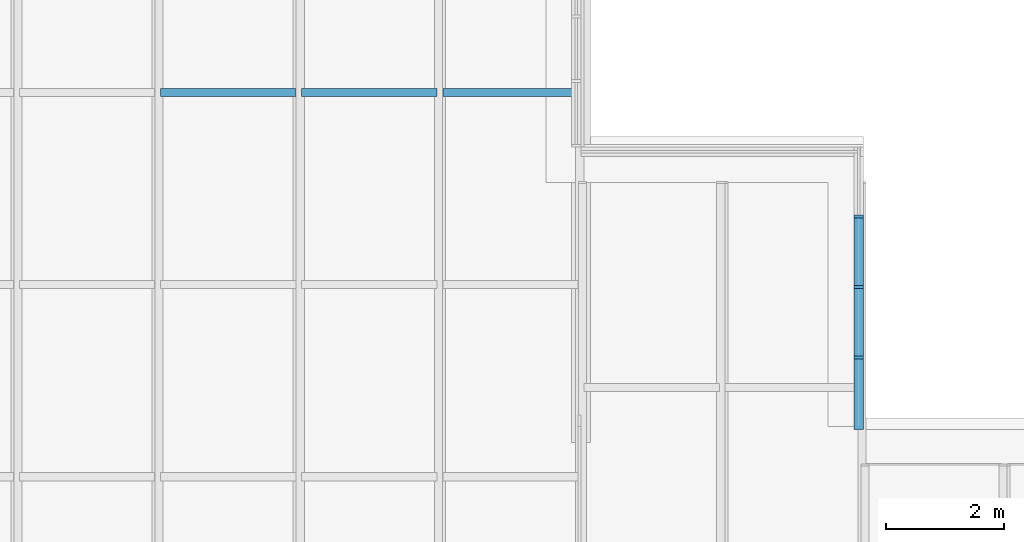
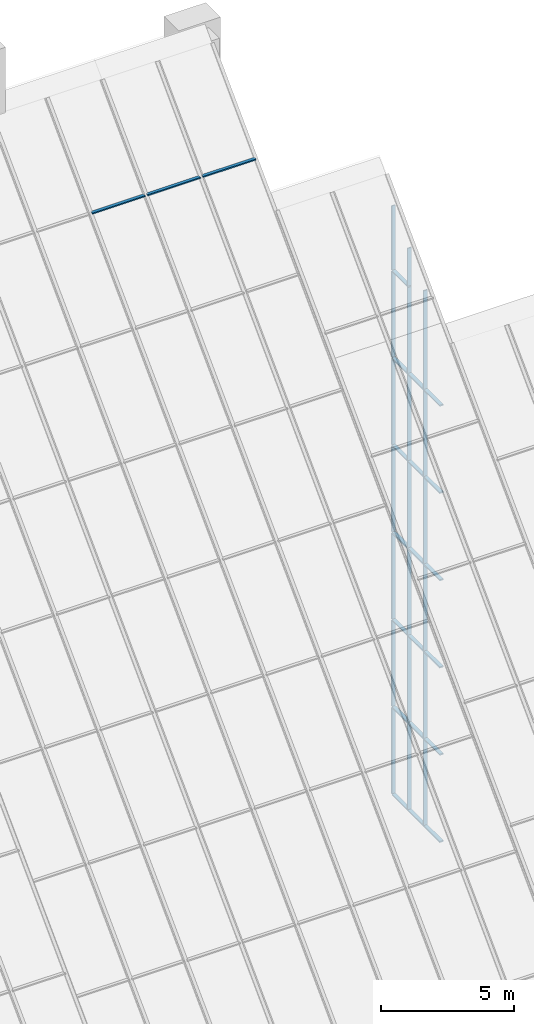
# One storey, part 12 of 25: 42 members, 29 elements without a shape of their own.
"""IFC4 building model written with IfcOpenShell, lengths in metres."""

from ifc_helpers import new_model, si_unit, direction, frame, origin, origin_2d, place, context, subcontext, project, spatial, rectangle, extrude, material, material_profile, profile_set, type_object, element, aggregate, save


model = new_model("IFC4")

# Units and contexts
model_context = context("Model", 3, precision=1e-05, world=origin(), true_north=direction((0.0, 1.0)))
body_context = subcontext(model_context, "Body", "Model", "MODEL_VIEW")
ifc_project = project(units=[si_unit("LENGTHUNIT", "METRE"), si_unit("AREAUNIT", "SQUARE_METRE"), si_unit("VOLUMEUNIT", "CUBIC_METRE"), si_unit("PLANEANGLEUNIT", "RADIAN"), si_unit("MASSUNIT", "GRAM", prefix="KILO")], contexts=[model_context])

# Site, building, storey
site_placement = place(None, origin())
site = spatial("IfcSite", under=ifc_project, at=site_placement, CompositionType="ELEMENT")
building_placement = place(site_placement, origin())
building = spatial("IfcBuilding", under=site, at=building_placement, Name="Baori Bourse Tower", CompositionType="ELEMENT")
storey_placement = place(building_placement, frame((0.0, 0.0, 378.300048828125)))
storey = spatial("IfcBuildingStorey", under=building, at=storey_placement, Name="Roof", CompositionType="ELEMENT", Elevation=378.300048828125)

# Curtain wall, member
ifc_material_1 = material(Name="Pale anodised aluminium", Category="aluminium")
curtain_wall_type_1 = type_object("IfcCurtainWallType", Name="CW3 Curtain wall", PredefinedType="NOTDEFINED", material=ifc_material_1)
curtain_wall_1_placement = place(storey_placement, origin())
curtain_wall_1 = element("IfcCurtainWall", 1, at=curtain_wall_1_placement, inside=storey, type_object=curtain_wall_type_1, Name="Curtain wall CW3 Roof 7", PredefinedType="NOTDEFINED")
ifc_material_2 = material(Name="Pale anodised aluminium", Category="aluminium")
ifc_material_profile_1 = material_profile(ifc_material_2, rectangle(XDim=0.159912109375, YDim=0.050048828125, at=origin_2d()), Name="Mullion 50x160")
ifc_profile_set_1 = profile_set([ifc_material_profile_1], Name="Pale anodised aluminium")
member_type_1 = type_object("IfcMemberType", Name="CW3 Curtain wall mullion", PredefinedType="MULLION", material=ifc_profile_set_1)
member_1_placement = place(storey_placement, frame((43.1201171875, 39.625, -0.18994140625), z_axis=(0.0, 0.0, 1.0), x_axis=(-1.0, 0.0, 0.0)))
member_1 = element("IfcMember", 2, at=member_1_placement, type_object=member_type_1, Name="Curtain wall CW3 mullion", PredefinedType="MULLION", context=body_context, shape_type="SweptSolid", body=[
    extrude(rectangle(XDim=0.159912109375, YDim=0.050048828125, at=origin_2d()), origin(), (0.0, 0.0, 1.0), 3.93994140625),
])

curtain_wall_2_placement = place(storey_placement, origin())
curtain_wall_2 = element("IfcCurtainWall", 3, at=curtain_wall_2_placement, inside=storey, type_object=curtain_wall_type_1, Name="Curtain wall CW3 Roof 8", PredefinedType="NOTDEFINED")
member_2_placement = place(storey_placement, frame((43.1201171875, 39.625, 3.81005859375), z_axis=(0.0, 0.0, 1.0), x_axis=(-1.0, 0.0, 0.0)))
member_2 = element("IfcMember", 4, at=member_2_placement, type_object=member_type_1, Name="Curtain wall CW3 mullion", PredefinedType="MULLION", context=body_context, shape_type="SweptSolid", body=[
    extrude(rectangle(XDim=0.159912109375, YDim=0.050048828125, at=origin_2d()), origin(), (0.0, 0.0, 1.0), 3.93994140625),
])

curtain_wall_3_placement = place(storey_placement, origin())
curtain_wall_3 = element("IfcCurtainWall", 5, at=curtain_wall_3_placement, inside=storey, type_object=curtain_wall_type_1, Name="Curtain wall CW3 Roof 9", PredefinedType="NOTDEFINED")
member_3_placement = place(storey_placement, frame((43.1201171875, 39.625, 7.81005859375), z_axis=(0.0, 0.0, 1.0), x_axis=(-1.0, 0.0, 0.0)))
member_3 = element("IfcMember", 6, at=member_3_placement, type_object=member_type_1, Name="Curtain wall CW3 mullion", PredefinedType="MULLION", context=body_context, shape_type="SweptSolid", body=[
    extrude(rectangle(XDim=0.159912109375, YDim=0.050048828125, at=origin_2d()), origin(), (0.0, 0.0, 1.0), 3.93994140625),
])

curtain_wall_4_placement = place(storey_placement, origin())
curtain_wall_4 = element("IfcCurtainWall", 7, at=curtain_wall_4_placement, inside=storey, type_object=curtain_wall_type_1, Name="Curtain wall CW3 Roof 10", PredefinedType="NOTDEFINED")
member_4_placement = place(storey_placement, frame((43.1201171875, 39.625, 11.81005859375), z_axis=(0.0, 0.0, 1.0), x_axis=(-1.0, 0.0, 0.0)))
member_4 = element("IfcMember", 8, at=member_4_placement, type_object=member_type_1, Name="Curtain wall CW3 mullion", PredefinedType="MULLION", context=body_context, shape_type="SweptSolid", body=[
    extrude(rectangle(XDim=0.159912109375, YDim=0.050048828125, at=origin_2d()), origin(), (0.0, 0.0, 1.0), 3.93994140625),
])

curtain_wall_5_placement = place(storey_placement, origin())
curtain_wall_5 = element("IfcCurtainWall", 9, at=curtain_wall_5_placement, inside=storey, type_object=curtain_wall_type_1, Name="Curtain wall CW3 Roof 11", PredefinedType="NOTDEFINED")
member_5_placement = place(storey_placement, frame((43.1201171875, 39.625, 15.81005859375), z_axis=(0.0, 0.0, 1.0), x_axis=(-1.0, 0.0, 0.0)))
member_5 = element("IfcMember", 10, at=member_5_placement, type_object=member_type_1, Name="Curtain wall CW3 mullion", PredefinedType="MULLION", context=body_context, shape_type="SweptSolid", body=[
    extrude(rectangle(XDim=0.159912109375, YDim=0.050048828125, at=origin_2d()), origin(), (0.0, 0.0, 1.0), 3.93994140625),
])

curtain_wall_6_placement = place(storey_placement, origin())
curtain_wall_6 = element("IfcCurtainWall", 11, at=curtain_wall_6_placement, inside=storey, type_object=curtain_wall_type_1, Name="Curtain wall CW3 Roof 12", PredefinedType="NOTDEFINED")
member_6_placement = place(storey_placement, frame((43.1201171875, 39.625, 19.81005859375), z_axis=(0.0, 0.0, 1.0), x_axis=(-1.0, 0.0, 0.0)))
member_6 = element("IfcMember", 12, at=member_6_placement, type_object=member_type_1, Name="Curtain wall CW3 mullion", PredefinedType="MULLION", context=body_context, shape_type="SweptSolid", body=[
    extrude(rectangle(XDim=0.159912109375, YDim=0.050048828125, at=origin_2d()), origin(), (0.0, 0.0, 1.0), 4.514892578125),
])

curtain_wall_7_placement = place(storey_placement, origin())
curtain_wall_7 = element("IfcCurtainWall", 13, at=curtain_wall_7_placement, inside=storey, type_object=curtain_wall_type_1, Name="Curtain wall CW3 Roof 13", PredefinedType="NOTDEFINED")
member_7_placement = place(storey_placement, frame((43.1201171875, 40.824951171875, -0.18994140625), z_axis=(0.0, 0.0, 1.0), x_axis=(-1.0, 0.0, 0.0)))
member_7 = element("IfcMember", 14, at=member_7_placement, type_object=member_type_1, Name="Curtain wall CW3 mullion", PredefinedType="MULLION", context=body_context, shape_type="SweptSolid", body=[
    extrude(rectangle(XDim=0.159912109375, YDim=0.050048828125, at=origin_2d()), origin(), (0.0, 0.0, 1.0), 3.93994140625),
])

curtain_wall_8_placement = place(storey_placement, origin())
curtain_wall_8 = element("IfcCurtainWall", 15, at=curtain_wall_8_placement, inside=storey, type_object=curtain_wall_type_1, Name="Curtain wall CW3 Roof 14", PredefinedType="NOTDEFINED")
member_8_placement = place(storey_placement, frame((43.1201171875, 40.824951171875, 3.81005859375), z_axis=(0.0, 0.0, 1.0), x_axis=(-1.0, 0.0, 0.0)))
member_8 = element("IfcMember", 16, at=member_8_placement, type_object=member_type_1, Name="Curtain wall CW3 mullion", PredefinedType="MULLION", context=body_context, shape_type="SweptSolid", body=[
    extrude(rectangle(XDim=0.159912109375, YDim=0.050048828125, at=origin_2d()), origin(), (0.0, 0.0, 1.0), 3.93994140625),
])

curtain_wall_9_placement = place(storey_placement, origin())
curtain_wall_9 = element("IfcCurtainWall", 17, at=curtain_wall_9_placement, inside=storey, type_object=curtain_wall_type_1, Name="Curtain wall CW3 Roof 15", PredefinedType="NOTDEFINED")
member_9_placement = place(storey_placement, frame((43.1201171875, 40.824951171875, 7.81005859375), z_axis=(0.0, 0.0, 1.0), x_axis=(-1.0, 0.0, 0.0)))
member_9 = element("IfcMember", 18, at=member_9_placement, type_object=member_type_1, Name="Curtain wall CW3 mullion", PredefinedType="MULLION", context=body_context, shape_type="SweptSolid", body=[
    extrude(rectangle(XDim=0.159912109375, YDim=0.050048828125, at=origin_2d()), origin(), (0.0, 0.0, 1.0), 3.93994140625),
])

curtain_wall_10_placement = place(storey_placement, origin())
curtain_wall_10 = element("IfcCurtainWall", 19, at=curtain_wall_10_placement, inside=storey, type_object=curtain_wall_type_1, Name="Curtain wall CW3 Roof 16", PredefinedType="NOTDEFINED")
member_10_placement = place(storey_placement, frame((43.1201171875, 40.824951171875, 11.81005859375), z_axis=(0.0, 0.0, 1.0), x_axis=(-1.0, 0.0, 0.0)))
member_10 = element("IfcMember", 20, at=member_10_placement, type_object=member_type_1, Name="Curtain wall CW3 mullion", PredefinedType="MULLION", context=body_context, shape_type="SweptSolid", body=[
    extrude(rectangle(XDim=0.159912109375, YDim=0.050048828125, at=origin_2d()), origin(), (0.0, 0.0, 1.0), 3.93994140625),
])

curtain_wall_11_placement = place(storey_placement, origin())
curtain_wall_11 = element("IfcCurtainWall", 21, at=curtain_wall_11_placement, inside=storey, type_object=curtain_wall_type_1, Name="Curtain wall CW3 Roof 17", PredefinedType="NOTDEFINED")
member_11_placement = place(storey_placement, frame((43.1201171875, 40.824951171875, 15.81005859375), z_axis=(0.0, 0.0, 1.0), x_axis=(-1.0, 0.0, 0.0)))
member_11 = element("IfcMember", 22, at=member_11_placement, type_object=member_type_1, Name="Curtain wall CW3 mullion", PredefinedType="MULLION", context=body_context, shape_type="SweptSolid", body=[
    extrude(rectangle(XDim=0.159912109375, YDim=0.050048828125, at=origin_2d()), origin(), (0.0, 0.0, 1.0), 3.93994140625),
])

curtain_wall_12_placement = place(storey_placement, origin())
curtain_wall_12 = element("IfcCurtainWall", 23, at=curtain_wall_12_placement, inside=storey, type_object=curtain_wall_type_1, Name="Curtain wall CW3 Roof 18", PredefinedType="NOTDEFINED")
member_12_placement = place(storey_placement, frame((43.1201171875, 40.824951171875, 19.81005859375), z_axis=(0.0, 0.0, 1.0), x_axis=(-1.0, 0.0, 0.0)))
member_12 = element("IfcMember", 24, at=member_12_placement, type_object=member_type_1, Name="Curtain wall CW3 mullion", PredefinedType="MULLION", context=body_context, shape_type="SweptSolid", body=[
    extrude(rectangle(XDim=0.159912109375, YDim=0.050048828125, at=origin_2d()), origin(), (0.0, 0.0, 1.0), 3.93994140625),
])

curtain_wall_13_placement = place(storey_placement, origin())
curtain_wall_13 = element("IfcCurtainWall", 25, at=curtain_wall_13_placement, inside=storey, type_object=curtain_wall_type_1, Name="Curtain wall CW3 Roof 19", PredefinedType="NOTDEFINED")
member_13_placement = place(storey_placement, frame((43.1201171875, 40.824951171875, 23.81005859375), z_axis=(0.0, 0.0, 1.0), x_axis=(-1.0, 0.0, 0.0)))
member_13 = element("IfcMember", 26, at=member_13_placement, type_object=member_type_1, Name="Curtain wall CW3 mullion", PredefinedType="MULLION", context=body_context, shape_type="SweptSolid", body=[
    extrude(rectangle(XDim=0.159912109375, YDim=0.050048828125, at=origin_2d()), origin(), (0.0, 0.0, 1.0), 1.72998046875),
])

curtain_wall_14_placement = place(storey_placement, origin())
curtain_wall_14 = element("IfcCurtainWall", 27, at=curtain_wall_14_placement, inside=storey, type_object=curtain_wall_type_1, Name="Curtain wall CW3 Roof 20", PredefinedType="NOTDEFINED")
member_14_placement = place(storey_placement, frame((43.1201171875, 42.02490234375, -0.18994140625), z_axis=(0.0, 0.0, 1.0), x_axis=(-1.0, 0.0, 0.0)))
member_14 = element("IfcMember", 28, at=member_14_placement, type_object=member_type_1, Name="Curtain wall CW3 mullion", PredefinedType="MULLION", context=body_context, shape_type="SweptSolid", body=[
    extrude(rectangle(XDim=0.159912109375, YDim=0.050048828125, at=origin_2d()), origin(), (0.0, 0.0, 1.0), 3.93994140625),
])
aggregate(curtain_wall_14, [member_14])

curtain_wall_15_placement = place(storey_placement, origin())
curtain_wall_15 = element("IfcCurtainWall", 29, at=curtain_wall_15_placement, inside=storey, type_object=curtain_wall_type_1, Name="Curtain wall CW3 Roof 21", PredefinedType="NOTDEFINED")
member_15_placement = place(storey_placement, frame((43.1201171875, 42.02490234375, 3.81005859375), z_axis=(0.0, 0.0, 1.0), x_axis=(-1.0, 0.0, 0.0)))
member_15 = element("IfcMember", 30, at=member_15_placement, type_object=member_type_1, Name="Curtain wall CW3 mullion", PredefinedType="MULLION", context=body_context, shape_type="SweptSolid", body=[
    extrude(rectangle(XDim=0.159912109375, YDim=0.050048828125, at=origin_2d()), origin(), (0.0, 0.0, 1.0), 3.93994140625),
])
aggregate(curtain_wall_15, [member_15])

curtain_wall_16_placement = place(storey_placement, origin())
curtain_wall_16 = element("IfcCurtainWall", 31, at=curtain_wall_16_placement, inside=storey, type_object=curtain_wall_type_1, Name="Curtain wall CW3 Roof 22", PredefinedType="NOTDEFINED")
member_16_placement = place(storey_placement, frame((43.1201171875, 42.02490234375, 7.81005859375), z_axis=(0.0, 0.0, 1.0), x_axis=(-1.0, 0.0, 0.0)))
member_16 = element("IfcMember", 32, at=member_16_placement, type_object=member_type_1, Name="Curtain wall CW3 mullion", PredefinedType="MULLION", context=body_context, shape_type="SweptSolid", body=[
    extrude(rectangle(XDim=0.159912109375, YDim=0.050048828125, at=origin_2d()), origin(), (0.0, 0.0, 1.0), 3.93994140625),
])
aggregate(curtain_wall_16, [member_16])

curtain_wall_17_placement = place(storey_placement, origin())
curtain_wall_17 = element("IfcCurtainWall", 33, at=curtain_wall_17_placement, inside=storey, type_object=curtain_wall_type_1, Name="Curtain wall CW3 Roof 23", PredefinedType="NOTDEFINED")
member_17_placement = place(storey_placement, frame((43.1201171875, 42.02490234375, 11.81005859375), z_axis=(0.0, 0.0, 1.0), x_axis=(-1.0, 0.0, 0.0)))
member_17 = element("IfcMember", 34, at=member_17_placement, type_object=member_type_1, Name="Curtain wall CW3 mullion", PredefinedType="MULLION", context=body_context, shape_type="SweptSolid", body=[
    extrude(rectangle(XDim=0.159912109375, YDim=0.050048828125, at=origin_2d()), origin(), (0.0, 0.0, 1.0), 3.93994140625),
])
aggregate(curtain_wall_17, [member_17])

curtain_wall_18_placement = place(storey_placement, origin())
curtain_wall_18 = element("IfcCurtainWall", 35, at=curtain_wall_18_placement, inside=storey, type_object=curtain_wall_type_1, Name="Curtain wall CW3 Roof 24", PredefinedType="NOTDEFINED")
member_18_placement = place(storey_placement, frame((43.1201171875, 42.02490234375, 15.81005859375), z_axis=(0.0, 0.0, 1.0), x_axis=(-1.0, 0.0, 0.0)))
member_18 = element("IfcMember", 36, at=member_18_placement, type_object=member_type_1, Name="Curtain wall CW3 mullion", PredefinedType="MULLION", context=body_context, shape_type="SweptSolid", body=[
    extrude(rectangle(XDim=0.159912109375, YDim=0.050048828125, at=origin_2d()), origin(), (0.0, 0.0, 1.0), 3.93994140625),
])
aggregate(curtain_wall_18, [member_18])

curtain_wall_19_placement = place(storey_placement, origin())
curtain_wall_19 = element("IfcCurtainWall", 37, at=curtain_wall_19_placement, inside=storey, type_object=curtain_wall_type_1, Name="Curtain wall CW3 Roof 25", PredefinedType="NOTDEFINED")
member_19_placement = place(storey_placement, frame((43.1201171875, 42.02490234375, 19.81005859375), z_axis=(0.0, 0.0, 1.0), x_axis=(-1.0, 0.0, 0.0)))
member_19 = element("IfcMember", 38, at=member_19_placement, type_object=member_type_1, Name="Curtain wall CW3 mullion", PredefinedType="MULLION", context=body_context, shape_type="SweptSolid", body=[
    extrude(rectangle(XDim=0.159912109375, YDim=0.050048828125, at=origin_2d()), origin(), (0.0, 0.0, 1.0), 3.93994140625),
])
aggregate(curtain_wall_19, [member_19])

curtain_wall_20_placement = place(storey_placement, origin())
curtain_wall_20 = element("IfcCurtainWall", 39, at=curtain_wall_20_placement, inside=storey, type_object=curtain_wall_type_1, Name="Curtain wall CW3 Roof 26", PredefinedType="NOTDEFINED")
member_20_placement = place(storey_placement, frame((43.1201171875, 42.02490234375, 23.81005859375), z_axis=(0.0, 0.0, 1.0), x_axis=(-1.0, 0.0, 0.0)))
member_20 = element("IfcMember", 40, at=member_20_placement, type_object=member_type_1, Name="Curtain wall CW3 mullion", PredefinedType="MULLION", context=body_context, shape_type="SweptSolid", body=[
    extrude(rectangle(XDim=0.159912109375, YDim=0.050048828125, at=origin_2d()), origin(), (0.0, 0.0, 1.0), 2.94482421875),
])
aggregate(curtain_wall_20, [member_20])

curtain_wall_21_placement = place(storey_placement, origin())
curtain_wall_21 = element("IfcCurtainWall", 41, at=curtain_wall_21_placement, inside=storey, type_object=curtain_wall_type_1, Name="Curtain wall CW3 Roof 1", PredefinedType="NOTDEFINED")
ifc_material_3 = material(Name="Pale anodised aluminium", Category="aluminium")
ifc_material_profile_2 = material_profile(ifc_material_3, rectangle(XDim=0.159912109375, YDim=0.06005859375, at=origin_2d()), Name="Transom 60x160")
ifc_profile_set_2 = profile_set([ifc_material_profile_2], Name="Pale anodised aluminium")
member_type_2 = type_object("IfcMemberType", Name="CW3 Curtain wall transom", PredefinedType="USERDEFINED", material=ifc_profile_set_2)
member_21_placement = place(storey_placement, frame((43.1201171875, 38.39990234375, -0.219970703125), z_axis=(0.0, 1.0, 0.0), x_axis=(-1.0, 0.0, 0.0)))
member_21 = element("IfcMember", 42, at=member_21_placement, type_object=member_type_2, Name="Curtain wall CW3 sill rail", ObjectType="TRANSOM", PredefinedType="USERDEFINED", context=body_context, shape_type="SweptSolid", body=[
    extrude(rectangle(XDim=0.159912109375, YDim=0.06005859375, at=origin_2d()), origin(), (0.0, 0.0, 1.0), 1.2001953125),
])
aggregate(curtain_wall_21, [member_21])

curtain_wall_22_placement = place(storey_placement, origin())
curtain_wall_22 = element("IfcCurtainWall", 43, at=curtain_wall_22_placement, inside=storey, type_object=curtain_wall_type_1, Name="Curtain wall CW3 Roof 2", PredefinedType="NOTDEFINED")
member_22_placement = place(storey_placement, frame((43.1201171875, 38.39990234375, 3.780029296875), z_axis=(0.0, 1.0, 0.0), x_axis=(-1.0, 0.0, 0.0)))
member_22 = element("IfcMember", 44, at=member_22_placement, type_object=member_type_2, Name="Curtain wall CW3 sill rail", ObjectType="TRANSOM", PredefinedType="USERDEFINED", context=body_context, shape_type="SweptSolid", body=[
    extrude(rectangle(XDim=0.159912109375, YDim=0.06005859375, at=origin_2d()), origin(), (0.0, 0.0, 1.0), 1.2001953125),
])
aggregate(curtain_wall_22, [member_22])

curtain_wall_23_placement = place(storey_placement, origin())
curtain_wall_23 = element("IfcCurtainWall", 45, at=curtain_wall_23_placement, inside=storey, type_object=curtain_wall_type_1, Name="Curtain wall CW3 Roof 3", PredefinedType="NOTDEFINED")
member_23_placement = place(storey_placement, frame((43.1201171875, 38.39990234375, 7.780029296875), z_axis=(0.0, 1.0, 0.0), x_axis=(-1.0, 0.0, 0.0)))
member_23 = element("IfcMember", 46, at=member_23_placement, type_object=member_type_2, Name="Curtain wall CW3 sill rail", ObjectType="TRANSOM", PredefinedType="USERDEFINED", context=body_context, shape_type="SweptSolid", body=[
    extrude(rectangle(XDim=0.159912109375, YDim=0.06005859375, at=origin_2d()), origin(), (0.0, 0.0, 1.0), 1.2001953125),
])
aggregate(curtain_wall_23, [member_23])

curtain_wall_24_placement = place(storey_placement, origin())
curtain_wall_24 = element("IfcCurtainWall", 47, at=curtain_wall_24_placement, inside=storey, type_object=curtain_wall_type_1, Name="Curtain wall CW3 Roof 4", PredefinedType="NOTDEFINED")
member_24_placement = place(storey_placement, frame((43.1201171875, 38.39990234375, 11.780029296875), z_axis=(0.0, 1.0, 0.0), x_axis=(-1.0, 0.0, 0.0)))
member_24 = element("IfcMember", 48, at=member_24_placement, type_object=member_type_2, Name="Curtain wall CW3 sill rail", ObjectType="TRANSOM", PredefinedType="USERDEFINED", context=body_context, shape_type="SweptSolid", body=[
    extrude(rectangle(XDim=0.159912109375, YDim=0.06005859375, at=origin_2d()), origin(), (0.0, 0.0, 1.0), 1.2001953125),
])
aggregate(curtain_wall_24, [member_24])

curtain_wall_25_placement = place(storey_placement, origin())
curtain_wall_25 = element("IfcCurtainWall", 49, at=curtain_wall_25_placement, inside=storey, type_object=curtain_wall_type_1, Name="Curtain wall CW3 Roof 5", PredefinedType="NOTDEFINED")
member_25_placement = place(storey_placement, frame((43.1201171875, 38.39990234375, 15.780029296875), z_axis=(0.0, 1.0, 0.0), x_axis=(-1.0, 0.0, 0.0)))
member_25 = element("IfcMember", 50, at=member_25_placement, type_object=member_type_2, Name="Curtain wall CW3 sill rail", ObjectType="TRANSOM", PredefinedType="USERDEFINED", context=body_context, shape_type="SweptSolid", body=[
    extrude(rectangle(XDim=0.159912109375, YDim=0.06005859375, at=origin_2d()), origin(), (0.0, 0.0, 1.0), 1.2001953125),
])
aggregate(curtain_wall_25, [member_25])

curtain_wall_26_placement = place(storey_placement, origin())
curtain_wall_26 = element("IfcCurtainWall", 51, at=curtain_wall_26_placement, inside=storey, type_object=curtain_wall_type_1, Name="Curtain wall CW3 Roof 6", PredefinedType="NOTDEFINED")
member_26_placement = place(storey_placement, frame((43.1201171875, 38.39990234375, 19.780029296875), z_axis=(0.0, 1.0, 0.0), x_axis=(-1.0, 0.0, 0.0)))
member_26 = element("IfcMember", 52, at=member_26_placement, type_object=member_type_2, Name="Curtain wall CW3 sill rail", ObjectType="TRANSOM", PredefinedType="USERDEFINED", context=body_context, shape_type="SweptSolid", body=[
    extrude(rectangle(XDim=0.159912109375, YDim=0.06005859375, at=origin_2d()), origin(), (0.0, 0.0, 1.0), 1.2001953125),
])
aggregate(curtain_wall_26, [member_26])

# Member
member_27_placement = place(storey_placement, frame((43.1201171875, 39.60009765625, -0.219970703125), z_axis=(0.0, 1.0, 0.0), x_axis=(-1.0, 0.0, 0.0)))
member_27 = element("IfcMember", 53, at=member_27_placement, type_object=member_type_2, Name="Curtain wall CW3 sill rail", ObjectType="TRANSOM", PredefinedType="USERDEFINED", context=body_context, shape_type="SweptSolid", body=[
    extrude(rectangle(XDim=0.159912109375, YDim=0.06005859375, at=origin_2d()), origin(), (0.0, 0.0, 1.0), 1.199951171875),
])

aggregate(curtain_wall_1, [member_27, member_1])

member_28_placement = place(storey_placement, frame((43.1201171875, 39.60009765625, 3.780029296875), z_axis=(0.0, 1.0, 0.0), x_axis=(-1.0, 0.0, 0.0)))
member_28 = element("IfcMember", 54, at=member_28_placement, type_object=member_type_2, Name="Curtain wall CW3 sill rail", ObjectType="TRANSOM", PredefinedType="USERDEFINED", context=body_context, shape_type="SweptSolid", body=[
    extrude(rectangle(XDim=0.159912109375, YDim=0.06005859375, at=origin_2d()), origin(), (0.0, 0.0, 1.0), 1.199951171875),
])

aggregate(curtain_wall_2, [member_28, member_2])

member_29_placement = place(storey_placement, frame((43.1201171875, 39.60009765625, 7.780029296875), z_axis=(0.0, 1.0, 0.0), x_axis=(-1.0, 0.0, 0.0)))
member_29 = element("IfcMember", 55, at=member_29_placement, type_object=member_type_2, Name="Curtain wall CW3 sill rail", ObjectType="TRANSOM", PredefinedType="USERDEFINED", context=body_context, shape_type="SweptSolid", body=[
    extrude(rectangle(XDim=0.159912109375, YDim=0.06005859375, at=origin_2d()), origin(), (0.0, 0.0, 1.0), 1.199951171875),
])

aggregate(curtain_wall_3, [member_29, member_3])

member_30_placement = place(storey_placement, frame((43.1201171875, 39.60009765625, 11.780029296875), z_axis=(0.0, 1.0, 0.0), x_axis=(-1.0, 0.0, 0.0)))
member_30 = element("IfcMember", 56, at=member_30_placement, type_object=member_type_2, Name="Curtain wall CW3 sill rail", ObjectType="TRANSOM", PredefinedType="USERDEFINED", context=body_context, shape_type="SweptSolid", body=[
    extrude(rectangle(XDim=0.159912109375, YDim=0.06005859375, at=origin_2d()), origin(), (0.0, 0.0, 1.0), 1.199951171875),
])

aggregate(curtain_wall_4, [member_30, member_4])

member_31_placement = place(storey_placement, frame((43.1201171875, 39.60009765625, 15.780029296875), z_axis=(0.0, 1.0, 0.0), x_axis=(-1.0, 0.0, 0.0)))
member_31 = element("IfcMember", 57, at=member_31_placement, type_object=member_type_2, Name="Curtain wall CW3 sill rail", ObjectType="TRANSOM", PredefinedType="USERDEFINED", context=body_context, shape_type="SweptSolid", body=[
    extrude(rectangle(XDim=0.159912109375, YDim=0.06005859375, at=origin_2d()), origin(), (0.0, 0.0, 1.0), 1.199951171875),
])

aggregate(curtain_wall_5, [member_31, member_5])

member_32_placement = place(storey_placement, frame((43.1201171875, 39.60009765625, 19.780029296875), z_axis=(0.0, 1.0, 0.0), x_axis=(-1.0, 0.0, 0.0)))
member_32 = element("IfcMember", 58, at=member_32_placement, type_object=member_type_2, Name="Curtain wall CW3 sill rail", ObjectType="TRANSOM", PredefinedType="USERDEFINED", context=body_context, shape_type="SweptSolid", body=[
    extrude(rectangle(XDim=0.159912109375, YDim=0.06005859375, at=origin_2d()), origin(), (0.0, 0.0, 1.0), 1.199951171875),
])

aggregate(curtain_wall_6, [member_32, member_6])

member_33_placement = place(storey_placement, frame((43.1201171875, 40.800048828125, -0.219970703125), z_axis=(0.0, 1.0, 0.0), x_axis=(-1.0, 0.0, 0.0)))
member_33 = element("IfcMember", 59, at=member_33_placement, type_object=member_type_2, Name="Curtain wall CW3 sill rail", ObjectType="TRANSOM", PredefinedType="USERDEFINED", context=body_context, shape_type="SweptSolid", body=[
    extrude(rectangle(XDim=0.159912109375, YDim=0.06005859375, at=origin_2d()), origin(), (0.0, 0.0, 1.0), 1.199951171875),
])

aggregate(curtain_wall_7, [member_33, member_7])

member_34_placement = place(storey_placement, frame((43.1201171875, 40.800048828125, 3.780029296875), z_axis=(0.0, 1.0, 0.0), x_axis=(-1.0, 0.0, 0.0)))
member_34 = element("IfcMember", 60, at=member_34_placement, type_object=member_type_2, Name="Curtain wall CW3 sill rail", ObjectType="TRANSOM", PredefinedType="USERDEFINED", context=body_context, shape_type="SweptSolid", body=[
    extrude(rectangle(XDim=0.159912109375, YDim=0.06005859375, at=origin_2d()), origin(), (0.0, 0.0, 1.0), 1.199951171875),
])

aggregate(curtain_wall_8, [member_34, member_8])

member_35_placement = place(storey_placement, frame((43.1201171875, 40.800048828125, 7.780029296875), z_axis=(0.0, 1.0, 0.0), x_axis=(-1.0, 0.0, 0.0)))
member_35 = element("IfcMember", 61, at=member_35_placement, type_object=member_type_2, Name="Curtain wall CW3 sill rail", ObjectType="TRANSOM", PredefinedType="USERDEFINED", context=body_context, shape_type="SweptSolid", body=[
    extrude(rectangle(XDim=0.159912109375, YDim=0.06005859375, at=origin_2d()), origin(), (0.0, 0.0, 1.0), 1.199951171875),
])

aggregate(curtain_wall_9, [member_35, member_9])

member_36_placement = place(storey_placement, frame((43.1201171875, 40.800048828125, 11.780029296875), z_axis=(0.0, 1.0, 0.0), x_axis=(-1.0, 0.0, 0.0)))
member_36 = element("IfcMember", 62, at=member_36_placement, type_object=member_type_2, Name="Curtain wall CW3 sill rail", ObjectType="TRANSOM", PredefinedType="USERDEFINED", context=body_context, shape_type="SweptSolid", body=[
    extrude(rectangle(XDim=0.159912109375, YDim=0.06005859375, at=origin_2d()), origin(), (0.0, 0.0, 1.0), 1.199951171875),
])

aggregate(curtain_wall_10, [member_36, member_10])

member_37_placement = place(storey_placement, frame((43.1201171875, 40.800048828125, 15.780029296875), z_axis=(0.0, 1.0, 0.0), x_axis=(-1.0, 0.0, 0.0)))
member_37 = element("IfcMember", 63, at=member_37_placement, type_object=member_type_2, Name="Curtain wall CW3 sill rail", ObjectType="TRANSOM", PredefinedType="USERDEFINED", context=body_context, shape_type="SweptSolid", body=[
    extrude(rectangle(XDim=0.159912109375, YDim=0.06005859375, at=origin_2d()), origin(), (0.0, 0.0, 1.0), 1.199951171875),
])

aggregate(curtain_wall_11, [member_37, member_11])

member_38_placement = place(storey_placement, frame((43.1201171875, 40.800048828125, 19.780029296875), z_axis=(0.0, 1.0, 0.0), x_axis=(-1.0, 0.0, 0.0)))
member_38 = element("IfcMember", 64, at=member_38_placement, type_object=member_type_2, Name="Curtain wall CW3 sill rail", ObjectType="TRANSOM", PredefinedType="USERDEFINED", context=body_context, shape_type="SweptSolid", body=[
    extrude(rectangle(XDim=0.159912109375, YDim=0.06005859375, at=origin_2d()), origin(), (0.0, 0.0, 1.0), 1.199951171875),
])

aggregate(curtain_wall_12, [member_38, member_12])

member_39_placement = place(storey_placement, frame((43.1201171875, 40.800048828125, 23.780029296875), z_axis=(0.0, 1.0, 0.0), x_axis=(-1.0, 0.0, 0.0)))
member_39 = element("IfcMember", 65, at=member_39_placement, type_object=member_type_2, Name="Curtain wall CW3 sill rail", ObjectType="TRANSOM", PredefinedType="USERDEFINED", context=body_context, shape_type="SweptSolid", body=[
    extrude(rectangle(XDim=0.159912109375, YDim=0.06005859375, at=origin_2d()), origin(), (0.0, 0.0, 1.0), 1.199951171875),
])

aggregate(curtain_wall_13, [member_39, member_13])

# Curtain wall, member
ifc_material_4 = material(Name="Pale anodised aluminium", Category="aluminium")
curtain_wall_type_2 = type_object("IfcCurtainWallType", Name="CW4 Curtain wall", PredefinedType="NOTDEFINED", material=ifc_material_4)
curtain_wall_27_placement = place(storey_placement, origin())
curtain_wall_27 = element("IfcCurtainWall", 66, at=curtain_wall_27_placement, inside=storey, type_object=curtain_wall_type_2, Name="Curtain wall CW4 roof glazing 19", PredefinedType="NOTDEFINED")
ifc_material_5 = material(Name="Pale anodised aluminium", Category="aluminium")
ifc_material_profile_3 = material_profile(ifc_material_5, rectangle(XDim=0.139892578125, YDim=0.054931640625, at=origin_2d()), Name="Transom 55x140")
ifc_profile_set_3 = profile_set([ifc_material_profile_3], Name="Pale anodised aluminium")
member_type_3 = type_object("IfcMemberType", Name="CW4 Curtain wall transom", PredefinedType="USERDEFINED", material=ifc_profile_set_3)
member_40_placement = place(storey_placement, frame((31.25, 44.13232421875, 29.283447265625), z_axis=(1.0, 0.0, 0.0), x_axis=(0.0, 1.0, 0.0)))
member_40 = element("IfcMember", 67, at=member_40_placement, type_object=member_type_3, Name="Curtain wall CW4 cross bar 19.9", ObjectType="TRANSOM", PredefinedType="USERDEFINED", context=body_context, shape_type="SweptSolid", body=[
    extrude(rectangle(XDim=0.139892578125, YDim=0.054931640625, at=origin_2d()), origin(), (0.0, 0.0, 1.0), 2.300048828125),
])
aggregate(curtain_wall_27, [member_40])

curtain_wall_28_placement = place(storey_placement, origin())
curtain_wall_28 = element("IfcCurtainWall", 68, at=curtain_wall_28_placement, inside=storey, type_object=curtain_wall_type_2, Name="Curtain wall CW4 roof glazing 21", PredefinedType="NOTDEFINED")
member_41_placement = place(storey_placement, frame((33.64990234375, 44.13232421875, 29.283447265625), z_axis=(1.0, 0.0, 0.0), x_axis=(0.0, 1.0, 0.0)))
member_41 = element("IfcMember", 69, at=member_41_placement, type_object=member_type_3, Name="Curtain wall CW4 cross bar 21.9", ObjectType="TRANSOM", PredefinedType="USERDEFINED", context=body_context, shape_type="SweptSolid", body=[
    extrude(rectangle(XDim=0.139892578125, YDim=0.054931640625, at=origin_2d()), origin(), (0.0, 0.0, 1.0), 2.300048828125),
])
aggregate(curtain_wall_28, [member_41])

curtain_wall_29_placement = place(storey_placement, origin())
curtain_wall_29 = element("IfcCurtainWall", 70, at=curtain_wall_29_placement, inside=storey, type_object=curtain_wall_type_2, Name="Curtain wall CW4 roof glazing 23", PredefinedType="NOTDEFINED")
member_42_placement = place(storey_placement, frame((36.050048828125, 44.13232421875, 29.283447265625), z_axis=(1.0, 0.0, 0.0), x_axis=(0.0, 1.0, 0.0)))
member_42 = element("IfcMember", 71, at=member_42_placement, type_object=member_type_3, Name="Curtain wall CW4 cross bar 23.9", ObjectType="TRANSOM", PredefinedType="USERDEFINED", context=body_context, shape_type="SweptSolid", body=[
    extrude(rectangle(XDim=0.139892578125, YDim=0.054931640625, at=origin_2d()), origin(), (0.0, 0.0, 1.0), 2.300048828125),
])
aggregate(curtain_wall_29, [member_42])

save(model, "model.ifc")
